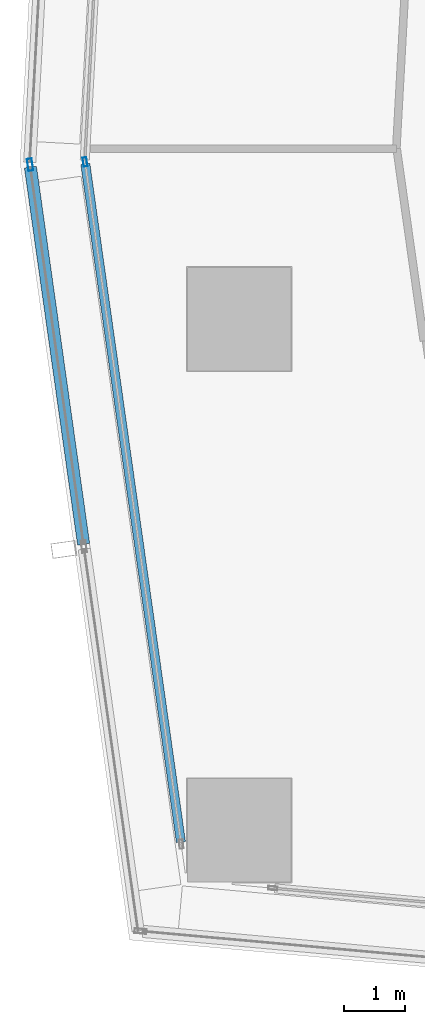
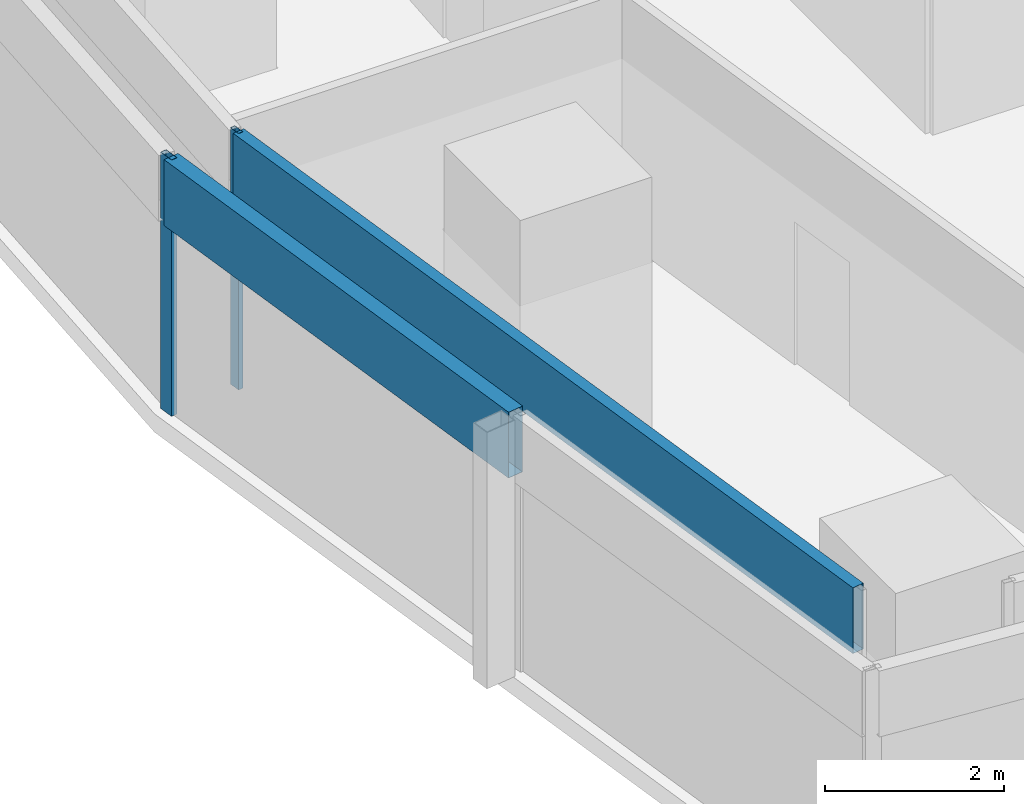
# One storey, part 4 of 40: 4 members, 2 elements without a shape of their own.
"""IFC4 building model written with IfcOpenShell, lengths in metres."""

from ifc_helpers import new_model, si_unit, direction, frame, origin, origin_2d, place, context, subcontext, project, spatial, hollow_rectangle, extrude, material, material_profile, profile_set, type_object, element, aggregate, save


model = new_model("IFC4")

# Units and contexts
model_context = context("Model", 3, precision=1e-05, world=origin(), true_north=direction((0.0, 1.0)))
body_context = subcontext(model_context, "Body", "Model", "MODEL_VIEW")
ifc_project = project(units=[si_unit("LENGTHUNIT", "METRE"), si_unit("AREAUNIT", "SQUARE_METRE"), si_unit("VOLUMEUNIT", "CUBIC_METRE"), si_unit("PLANEANGLEUNIT", "RADIAN"), si_unit("MASSUNIT", "GRAM", prefix="KILO")], contexts=[model_context])

# Site, building, storey
site_placement = place(None, origin())
site = spatial("IfcSite", under=ifc_project, at=site_placement, CompositionType="ELEMENT")
building_placement = place(site_placement, origin())
building = spatial("IfcBuilding", under=site, at=building_placement, Name="Rekha Terrace Tower", CompositionType="ELEMENT")
storey_placement = place(building_placement, frame((0.0, 0.0, 136.550048828125)))
storey = spatial("IfcBuildingStorey", under=building, at=storey_placement, Name="L34", CompositionType="ELEMENT", Elevation=136.550048828125)

# Curtain wall, members
ifc_material_1 = material(Name="Aluminium framing", Category="aluminium")
curtain_wall_type_1 = type_object("IfcCurtainWallType", Name="CW1 double skin inner glazing", PredefinedType="USERDEFINED", material=ifc_material_1)
curtain_wall_1_placement = place(storey_placement, origin())
curtain_wall_1 = element("IfcCurtainWall", 1, at=curtain_wall_1_placement, inside=storey, type_object=curtain_wall_type_1, Name="CW1 double skin inner glazing", ObjectType="DOUBLE SKIN INNER GLAZING", PredefinedType="USERDEFINED")
ifc_material_2 = material(Name="Aluminium mullion section", Category="aluminium")
ifc_material_profile_1 = material_profile(ifc_material_2, hollow_rectangle(XDim=0.06494140625, YDim=0.14990234375, WallThickness=0.00390625, at=origin_2d()), Name="AL RHS 65x150")
ifc_profile_set_1 = profile_set([ifc_material_profile_1], Name="Aluminium mullion section")
member_type_1 = type_object("IfcMemberType", Name="CW1 mullion RHS 65 x 150", PredefinedType="MULLION", material=ifc_profile_set_1)
member_1_placement = place(storey_placement, frame((5.86865234375, 27.78125, 0.0), z_axis=(0.0, 0.0, 1.0), x_axis=(0.990208394312, 0.139597048082, 0.0)))
member_1 = element("IfcMember", 2, at=member_1_placement, type_object=member_type_1, Name="CW1 mullion 1", PredefinedType="MULLION", context=body_context, shape_type="SweptSolid", body=[
    extrude(hollow_rectangle(XDim=0.06494140625, YDim=0.14990234375, WallThickness=0.00390625, at=origin_2d()), origin(), (0.0, 0.0, 1.0), 3.5),
])
ifc_material_3 = material(Name="Insulated aluminium spandrel box", Category="aluminium")
ifc_material_profile_2 = material_profile(ifc_material_3, hollow_rectangle(XDim=0.14990234375, YDim=0.89990234375, WallThickness=0.0029296875, at=origin_2d()), Name="AL SPANDREL BOX 150x900")
ifc_profile_set_2 = profile_set([ifc_material_profile_2], Name="Insulated aluminium spandrel box")
member_type_2 = type_object("IfcMemberType", Name="CW1 spandrel transom 150 x 900", PredefinedType="USERDEFINED", material=ifc_profile_set_2)
member_2_placement = place(storey_placement, frame((5.873046875, 27.7490234375, 3.050048828125), z_axis=(0.139607844155, -0.99020687225, 0.0), x_axis=(0.99020687225, 0.139607844155, 0.0)))
member_2 = element("IfcMember", 3, at=member_2_placement, type_object=member_type_2, Name="CW1 spandrel transom 1", ObjectType="TRANSOM", PredefinedType="USERDEFINED", context=body_context, shape_type="SweptSolid", body=[
    extrude(hollow_rectangle(XDim=0.14990234375, YDim=0.89990234375, WallThickness=0.0029296875, at=origin_2d()), origin(), (0.0, 0.0, 1.0), 11.253173828125),
])
aggregate(curtain_wall_1, [member_1, member_2])

curtain_wall_type_2 = type_object("IfcCurtainWallType", Name="CW2 double skin outer glazing", PredefinedType="USERDEFINED", material=ifc_material_1)
curtain_wall_2_placement = place(storey_placement, origin())
curtain_wall_2 = element("IfcCurtainWall", 4, at=curtain_wall_2_placement, inside=storey, type_object=curtain_wall_type_2, Name="CW2 double skin outer glazing", ObjectType="DOUBLE SKIN OUTER GLAZING", PredefinedType="USERDEFINED")
ifc_material_profile_3 = material_profile(ifc_material_2, hollow_rectangle(XDim=0.080078125, YDim=0.199951171875, WallThickness=0.00390625, at=origin_2d()), Name="AL RHS 80x200")
ifc_profile_set_3 = profile_set([ifc_material_profile_3], Name="Aluminium mullion section")
member_type_3 = type_object("IfcMemberType", Name="CW2 mullion RHS 80 x 200", PredefinedType="MULLION", material=ifc_profile_set_3)
member_3_placement = place(storey_placement, frame((4.96630859375, 27.7353515625, 0.0), z_axis=(0.0, 0.0, 1.0), x_axis=(0.990208394312, 0.139597048082, 0.0)))
member_3 = element("IfcMember", 5, at=member_3_placement, type_object=member_type_3, Name="CW2 mullion 1", PredefinedType="MULLION", context=body_context, shape_type="SweptSolid", body=[
    extrude(hollow_rectangle(XDim=0.080078125, YDim=0.199951171875, WallThickness=0.00390625, at=origin_2d()), origin(), (0.0, 0.0, 1.0), 3.5),
])
ifc_material_profile_4 = material_profile(ifc_material_3, hollow_rectangle(XDim=0.199951171875, YDim=0.89990234375, WallThickness=0.0029296875, at=origin_2d()), Name="AL SPANDREL BOX 200x900")
ifc_profile_set_4 = profile_set([ifc_material_profile_4], Name="Insulated aluminium spandrel box")
member_type_4 = type_object("IfcMemberType", Name="CW2 spandrel transom 200 x 900", PredefinedType="USERDEFINED", material=ifc_profile_set_4)
member_4_placement = place(storey_placement, frame((4.9716796875, 27.695556640625, 3.050048828125), z_axis=(0.139596256865, -0.990208505856, 0.0), x_axis=(0.990208505856, 0.139596256865, 0.0)))
member_4 = element("IfcMember", 6, at=member_4_placement, type_object=member_type_4, Name="CW2 spandrel transom 1", ObjectType="TRANSOM", PredefinedType="USERDEFINED", context=body_context, shape_type="SweptSolid", body=[
    extrude(hollow_rectangle(XDim=0.199951171875, YDim=0.89990234375, WallThickness=0.0029296875, at=origin_2d()), origin(), (0.0, 0.0, 1.0), 6.255859375),
])
aggregate(curtain_wall_2, [member_3, member_4])

save(model, "model.ifc")
